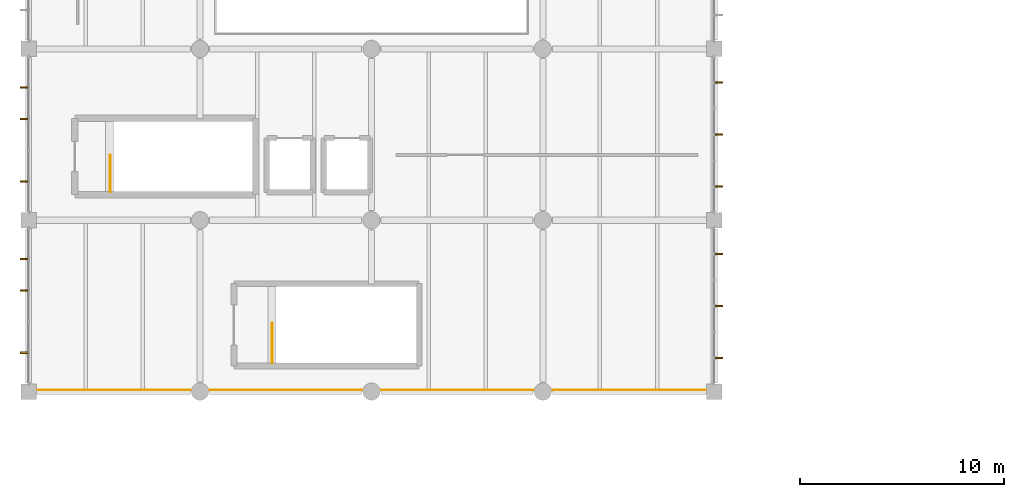
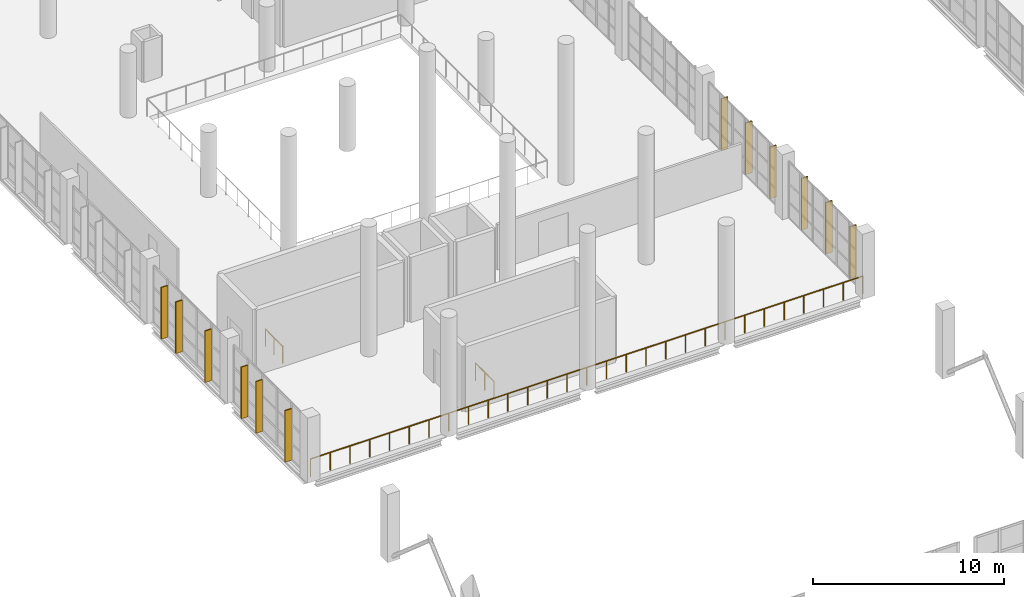
# One storey, part 162 of 177: 12 shading devices, 3 railings.
"""IFC4 building model written with IfcOpenShell, lengths in metres."""

from ifc_helpers import new_model, si_unit, direction, frame, origin, origin_2d, place, context, subcontext, project, spatial, rectangle, circle, extrude, material, type_object, element, save


model = new_model("IFC4")

# Units and contexts
model_context = context("Model", 3, precision=1e-05, world=origin(), true_north=direction((0.0, 1.0)))
body_context = subcontext(model_context, "Body", "Model", "MODEL_VIEW")
ifc_project = project(units=[si_unit("LENGTHUNIT", "METRE"), si_unit("AREAUNIT", "SQUARE_METRE"), si_unit("VOLUMEUNIT", "CUBIC_METRE"), si_unit("PLANEANGLEUNIT", "RADIAN"), si_unit("MASSUNIT", "GRAM", prefix="KILO"), si_unit("THERMODYNAMICTEMPERATUREUNIT", "KELVIN"), si_unit("POWERUNIT", "WATT")], contexts=[model_context])

# Site, building, storey
site_placement = place(None, origin())
site = spatial("IfcSite", under=ifc_project, at=site_placement, CompositionType="ELEMENT")
building_placement = place(site_placement, origin())
building = spatial("IfcBuilding", under=site, at=building_placement, Name="Mavoryth Pier Ferry Terminal", CompositionType="ELEMENT")
storey_placement = place(building_placement, frame((0.0, 0.0, 5.43994140625)))
storey = spatial("IfcBuildingStorey", under=building, at=storey_placement, Name="L01", CompositionType="ELEMENT", Elevation=5.43994140625)

# Shading devices
ifc_material_1 = material(Name="Anodised Aluminium Solar-Shading Fin", Category="aluminium")
shading_device_type = type_object("IfcShadingDeviceType", Name="Fin-BriseSoleil-400x75x3300", PredefinedType="SHUTTER", material=ifc_material_1)
for number, where, z_axis, x_axis, name in (
    (1, (-0.22412109375, 53.695068359375, 0.0), (0.0, 0.0, 1.0), (0.0, -1.0, 0.0), "Solar Shading Fin 19"),
    (2, (-0.22412109375, 52.1650390625, 0.0), (0.0, 0.0, 1.0), (0.0, -1.0, 0.0), "Solar Shading Fin 20"),
    (3, (-0.22412109375, 49.10498046875, 0.0), (0.0, 0.0, 1.0), (0.0, -1.0, 0.0), "Solar Shading Fin 21"),
    (4, (33.823974609375, 48.85009765625, 0.0), (0.0, 0.0, 1.0), (0.0, 1.0, 0.0), "Solar Shading Fin 22"),
    (5, (33.823974609375, 51.39990234375, 0.0), (0.0, 0.0, 1.0), (0.0, 1.0, 0.0), "Solar Shading Fin 23"),
    (6, (33.823974609375, 53.949951171875, 0.0), (0.0, 0.0, 1.0), (0.0, 1.0, 0.0), "Solar Shading Fin 24"),
    (7, (-0.22412109375, 62.094970703125, 0.0), (0.0, 0.0, 1.0), (0.0, -1.0, 0.0), "Solar Shading Fin 31"),
    (8, (-0.22412109375, 60.56494140625, 0.0), (0.0, 0.0, 1.0), (0.0, -1.0, 0.0), "Solar Shading Fin 32"),
    (9, (-0.22412109375, 57.5048828125, 0.0), (0.0, 0.0, 1.0), (0.0, -1.0, 0.0), "Solar Shading Fin 33"),
    (10, (33.823974609375, 57.25, 0.0), (0.0, 0.0, 1.0), (0.0, 1.0, 0.0), "Solar Shading Fin 34"),
    (11, (33.823974609375, 59.800048828125, 0.0), (0.0, 0.0, 1.0), (0.0, 1.0, 0.0), "Solar Shading Fin 35"),
    (12, (33.823974609375, 62.35009765625, 0.0), (0.0, 0.0, 1.0), (0.0, 1.0, 0.0), "Solar Shading Fin 36"),
):
    element("IfcShadingDevice", number, at=place(storey_placement, frame(where, z_axis=z_axis, x_axis=x_axis)), inside=storey, type_object=shading_device_type, Name=name, PredefinedType="SHUTTER", context=body_context, shape_type="SweptSolid", body=[
        extrude(rectangle(XDim=0.074951171875, YDim=0.39990234375, at=origin_2d()), origin(), (0.0, 0.0, 1.0), 3.300048828125),
    ])

# Railings
ifc_material_2 = material(Name="Bronze-Anodised Aluminium and Glass Balustrade", Category="aluminium")
railing_type_1 = type_object("IfcRailingType", Name="Guard-Atrium-Bronze1150", PredefinedType="GUARDRAIL", material=ifc_material_2)
railing_1_placement = place(storey_placement, frame((11.949951171875, 48.60009765625, 0.0)))
element("IfcRailing", 13, at=railing_1_placement, inside=storey, type_object=railing_type_1, Name="L01 ST13 top well guard 1", PredefinedType="GUARDRAIL", context=body_context, shape_type="SweptSolid", body=[
    extrude(circle(Radius=0.02392578125, at=origin_2d()), frame((0.0, 0.0, 1.1259765625), z_axis=(0.0, 1.0, 0.0), x_axis=(-1.0, 0.0, 0.0)), (0.0, 0.0, 1.0), 1.949951171875),
    extrude(circle(Radius=0.02099609375, at=origin_2d()), origin(), (0.0, 0.0, 1.0), 1.101806640625),
    extrude(circle(Radius=0.02099609375, at=origin_2d()), frame((0.0, 0.97509765625, 0.0)), (0.0, 0.0, 1.0), 1.101806640625),
    extrude(circle(Radius=0.02099609375, at=origin_2d()), frame((0.0, 1.949951171875, 0.0)), (0.0, 0.0, 1.0), 1.101806640625),
])
railing_2_placement = place(storey_placement, frame((0.080078125, 47.280029296875, 0.0)))
element("IfcRailing", 14, at=railing_2_placement, inside=storey, type_object=railing_type_1, Name="Guardrail GRD-L01-002", PredefinedType="GUARDRAIL", context=body_context, shape_type="SweptSolid", body=[
    extrude(circle(Radius=0.02392578125, at=origin_2d()), frame((0.0, 0.0, 1.1259765625), z_axis=(1.0, 0.0, 0.0), x_axis=(0.0, 1.0, 0.0)), (0.0, 0.0, 1.0), 33.43994140625),
    extrude(circle(Radius=0.02099609375, at=origin_2d()), origin(), (0.0, 0.0, 1.0), 1.101806640625),
    extrude(circle(Radius=0.02099609375, at=origin_2d()), frame((1.1943359375, 0.0, 0.0)), (0.0, 0.0, 1.0), 1.101806640625),
    extrude(circle(Radius=0.02099609375, at=origin_2d()), frame((2.388671875, 0.0, 0.0)), (0.0, 0.0, 1.0), 1.101806640625),
    extrude(circle(Radius=0.02099609375, at=origin_2d()), frame((3.582763671875, 0.0, 0.0)), (0.0, 0.0, 1.0), 1.101806640625),
    extrude(circle(Radius=0.02099609375, at=origin_2d()), frame((4.777099609375, 0.0, 0.0)), (0.0, 0.0, 1.0), 1.101806640625),
    extrude(circle(Radius=0.02099609375, at=origin_2d()), frame((5.971435546875, 0.0, 0.0)), (0.0, 0.0, 1.0), 1.101806640625),
    extrude(circle(Radius=0.02099609375, at=origin_2d()), frame((7.165771484375, 0.0, 0.0)), (0.0, 0.0, 1.0), 1.101806640625),
    extrude(circle(Radius=0.02099609375, at=origin_2d()), frame((8.35986328125, 0.0, 0.0)), (0.0, 0.0, 1.0), 1.101806640625),
    extrude(circle(Radius=0.02099609375, at=origin_2d()), frame((9.55419921875, 0.0, 0.0)), (0.0, 0.0, 1.0), 1.101806640625),
    extrude(circle(Radius=0.02099609375, at=origin_2d()), frame((10.74853515625, 0.0, 0.0)), (0.0, 0.0, 1.0), 1.101806640625),
    extrude(circle(Radius=0.02099609375, at=origin_2d()), frame((11.94287109375, 0.0, 0.0)), (0.0, 0.0, 1.0), 1.101806640625),
    extrude(circle(Radius=0.02099609375, at=origin_2d()), frame((13.13720703125, 0.0, 0.0)), (0.0, 0.0, 1.0), 1.101806640625),
    extrude(circle(Radius=0.02099609375, at=origin_2d()), frame((14.331298828125, 0.0, 0.0)), (0.0, 0.0, 1.0), 1.101806640625),
    extrude(circle(Radius=0.02099609375, at=origin_2d()), frame((15.525634765625, 0.0, 0.0)), (0.0, 0.0, 1.0), 1.101806640625),
    extrude(circle(Radius=0.02099609375, at=origin_2d()), frame((16.719970703125, 0.0, 0.0)), (0.0, 0.0, 1.0), 1.101806640625),
    extrude(circle(Radius=0.02099609375, at=origin_2d()), frame((17.914306640625, 0.0, 0.0)), (0.0, 0.0, 1.0), 1.101806640625),
    extrude(circle(Radius=0.02099609375, at=origin_2d()), frame((19.108642578125, 0.0, 0.0)), (0.0, 0.0, 1.0), 1.101806640625),
    extrude(circle(Radius=0.02099609375, at=origin_2d()), frame((20.302734375, 0.0, 0.0)), (0.0, 0.0, 1.0), 1.101806640625),
    extrude(circle(Radius=0.02099609375, at=origin_2d()), frame((21.4970703125, 0.0, 0.0)), (0.0, 0.0, 1.0), 1.101806640625),
    extrude(circle(Radius=0.02099609375, at=origin_2d()), frame((22.69140625, 0.0, 0.0)), (0.0, 0.0, 1.0), 1.101806640625),
    extrude(circle(Radius=0.02099609375, at=origin_2d()), frame((23.8857421875, 0.0, 0.0)), (0.0, 0.0, 1.0), 1.101806640625),
    extrude(circle(Radius=0.02099609375, at=origin_2d()), frame((25.080078125, 0.0, 0.0)), (0.0, 0.0, 1.0), 1.101806640625),
    extrude(circle(Radius=0.02099609375, at=origin_2d()), frame((26.274169921875, 0.0, 0.0)), (0.0, 0.0, 1.0), 1.101806640625),
    extrude(circle(Radius=0.02099609375, at=origin_2d()), frame((27.468505859375, 0.0, 0.0)), (0.0, 0.0, 1.0), 1.101806640625),
    extrude(circle(Radius=0.02099609375, at=origin_2d()), frame((28.662841796875, 0.0, 0.0)), (0.0, 0.0, 1.0), 1.101806640625),
    extrude(circle(Radius=0.02099609375, at=origin_2d()), frame((29.857177734375, 0.0, 0.0)), (0.0, 0.0, 1.0), 1.101806640625),
    extrude(circle(Radius=0.02099609375, at=origin_2d()), frame((31.05126953125, 0.0, 0.0)), (0.0, 0.0, 1.0), 1.101806640625),
    extrude(circle(Radius=0.02099609375, at=origin_2d()), frame((32.24560546875, 0.0, 0.0)), (0.0, 0.0, 1.0), 1.101806640625),
    extrude(circle(Radius=0.02099609375, at=origin_2d()), frame((33.43994140625, 0.0, 0.0)), (0.0, 0.0, 1.0), 1.101806640625),
])
ifc_material_3 = material(Name="Painted Galvanised Steel Balustrade", Category="steel")
railing_type_2 = type_object("IfcRailingType", Name="Guard-Stair-Steel1100", PredefinedType="GUARDRAIL", material=ifc_material_3)
railing_3_placement = place(storey_placement, frame((4.0, 57.0, 0.0)))
element("IfcRailing", 15, at=railing_3_placement, inside=storey, type_object=railing_type_2, Name="L01 ST01 top well guard 1", PredefinedType="GUARDRAIL", context=body_context, shape_type="SweptSolid", body=[
    extrude(circle(Radius=0.02392578125, at=origin_2d()), frame((0.0, 0.0, 1.076171875), z_axis=(0.0, 1.0, 0.0), x_axis=(-1.0, 0.0, 0.0)), (0.0, 0.0, 1.0), 1.800048828125),
    extrude(circle(Radius=0.02099609375, at=origin_2d()), origin(), (0.0, 0.0, 1.0), 1.052001953125),
    extrude(circle(Radius=0.02099609375, at=origin_2d()), frame((0.0, 0.89990234375, 0.0)), (0.0, 0.0, 1.0), 1.052001953125),
    extrude(circle(Radius=0.02099609375, at=origin_2d()), frame((0.0, 1.800048828125, 0.0)), (0.0, 0.0, 1.0), 1.052001953125),
])

save(model, "model.ifc")
